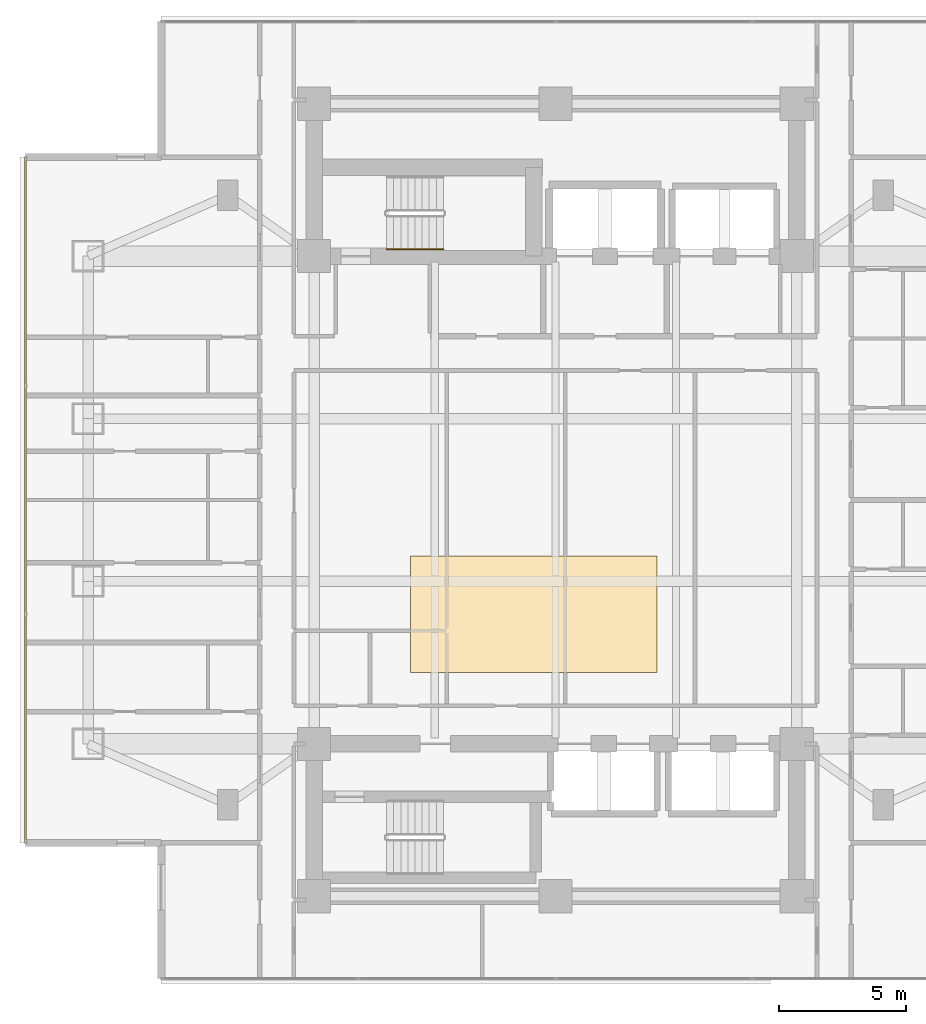
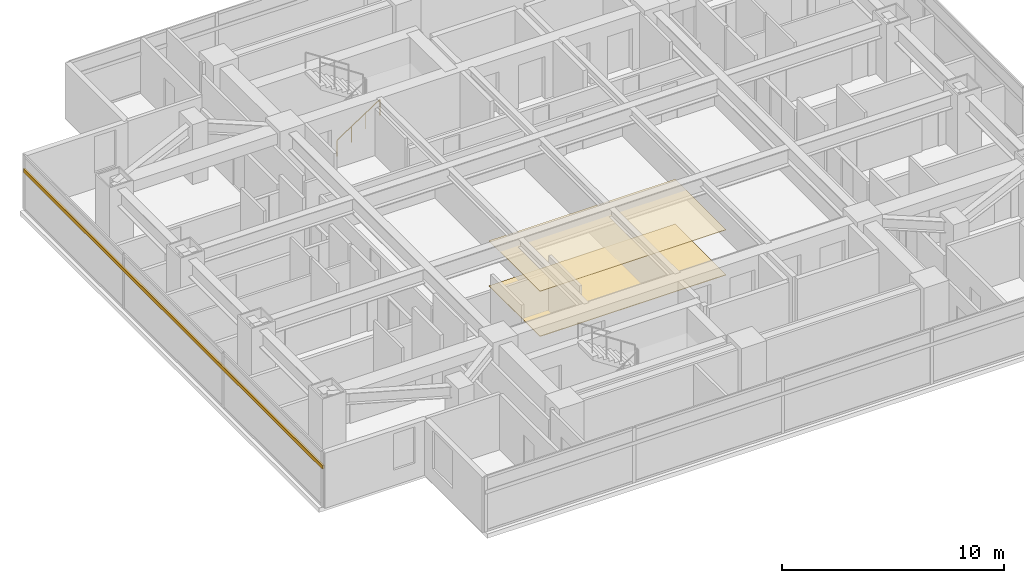
# One storey, part 22 of 27: 2 coverings, 1 railing, 1 shading device.
"""IFC4 building model written with IfcOpenShell, lengths in metres."""

import ifcopenshell
import ifcopenshell.guid

model = None  # the IFC model being written
_history = None  # IfcOwnerHistory: only IFC2X3 demands one
_inside = {}  # id of a spatial element -> (the spatial element, [elements in it])
_under = {}  # id of a project, library or spatial element -> (it, [spatial elements below it])
_declared = {}  # id of a project -> (the project, [libraries it declares])
_typed = {}  # id of a type object -> (the type object, [elements of that type])
_made_of = {}  # id of a material, layer set ... -> (it, [elements and type objects made of it])


def new_model(schema):
    """Start an empty IFC model of exactly this schema.

    Asked for "IFC4X3", IfcOpenShell would pick the latest addendum, in which some entities
    have other attributes; the version numbers below select the first issue.
    IFC2X3 requires an IfcOwnerHistory on every rooted entity: one is made here for all.
    """
    global model, _history
    if schema == "IFC4X3":
        model = ifcopenshell.file(schema_version=(4, 3, 0, 0))
    else:
        model = ifcopenshell.file(schema=schema)
    _inside.clear()
    _under.clear()
    _declared.clear()
    _typed.clear()
    _made_of.clear()
    _history = None
    if model.schema == "IFC2X3":
        org = make("IfcOrganization", Name="unknown")
        user = make(
            "IfcPersonAndOrganization",
            ThePerson=make("IfcPerson", FamilyName="unknown"),
            TheOrganization=org,
        )
        app = make(
            "IfcApplication",
            ApplicationDeveloper=org,
            Version="unknown",
            ApplicationFullName="unknown",
            ApplicationIdentifier="unknown",
        )
        _history = make(
            "IfcOwnerHistory",
            OwningUser=user,
            OwningApplication=app,
            ChangeAction="ADDED",
            CreationDate=0,
        )
    return model


def make(cls, **values):
    """One entity of the class cls with the attributes given. An attribute that is None is left unset."""
    return model.create_entity(
        cls, **{name: value for name, value in values.items() if value is not None}
    )


def rooted(cls, **values):
    """An entity with a GlobalId (a new one), such as an element, a storey or a relation."""
    return make(cls, GlobalId=ifcopenshell.guid.new(), OwnerHistory=_history, **values)


def si_unit(unit_type, name, prefix=None):
    """IfcSIUnit, for example si_unit("LENGTHUNIT", "METRE", prefix="MILLI")."""
    return make("IfcSIUnit", UnitType=unit_type, Prefix=prefix, Name=name)


def assignment(units):
    """IfcUnitAssignment: the units of a project."""
    return None if units is None else make("IfcUnitAssignment", Units=units)


def point(xyz):
    """IfcCartesianPoint."""
    return None if xyz is None else make("IfcCartesianPoint", Coordinates=xyz)


def direction(xyz):
    """IfcDirection."""
    return None if xyz is None else make("IfcDirection", DirectionRatios=xyz)


def frame(location, z_axis=None, x_axis=None):
    """IfcAxis2Placement3D, a coordinate frame: its origin and axes. An axis left out is left unset."""
    return make(
        "IfcAxis2Placement3D",
        Location=point(location),
        Axis=direction(z_axis),
        RefDirection=direction(x_axis),
    )


def frame_2d(location, x_axis=None):
    """IfcAxis2Placement2D, a coordinate frame in the plane: its origin and x axis."""
    return make(
        "IfcAxis2Placement2D", Location=point(location), RefDirection=direction(x_axis)
    )


def origin():
    """The frame at (0, 0, 0) with its axes left unset."""
    return frame((0.0, 0.0, 0.0))


def origin_2d():
    """The frame at (0, 0) in the plane with its x axis left unset."""
    return frame_2d((0.0, 0.0))


def place(relative_to, where):
    """IfcLocalPlacement: puts the frame where relative to a parent placement (None: the world)."""
    return make(
        "IfcLocalPlacement", PlacementRelTo=relative_to, RelativePlacement=where
    )


def context(
    kind, dimensions, precision=None, world=None, true_north=None, identifier=None
):
    """IfcGeometricRepresentationContext, for example the 3D "Model" context."""
    return make(
        "IfcGeometricRepresentationContext",
        ContextIdentifier=identifier,
        ContextType=kind,
        CoordinateSpaceDimension=dimensions,
        Precision=precision,
        WorldCoordinateSystem=world,
        TrueNorth=true_north,
    )


def subcontext(parent, identifier, kind, view, scale=None):
    """IfcGeometricRepresentationSubContext, for example "Body" below "Model"."""
    return make(
        "IfcGeometricRepresentationSubContext",
        ContextIdentifier=identifier,
        ContextType=kind,
        ParentContext=parent,
        TargetScale=scale,
        TargetView=view,
    )


def project(units=None, contexts=None):
    """IfcProject with its units and contexts."""
    return rooted(
        "IfcProject",
        Name="project",
        RepresentationContexts=contexts,
        UnitsInContext=assignment(units),
    )


def spatial(cls, under=None, at=None, **own):
    """A site, building, storey or space (cls), placed at a placement, below another one or the project."""
    s = rooted(cls, ObjectPlacement=at, **own)
    if under is not None:
        _under.setdefault(under.id(), (under, []))[1].append(s)
    return s


def polyline(points):
    """IfcPolyline through the points."""
    return make("IfcPolyline", Points=[point(p) for p in points])


def profile(cls, at=None, kind="AREA", **sizes):
    """A parametric profile (cls). Its sizes go by their IFC names, for example OverallWidth=200.0."""
    return make(cls, ProfileType=kind, Position=at, **sizes)


def rectangle(**sizes):
    """IfcRectangleProfileDef."""
    return profile("IfcRectangleProfileDef", **sizes)


def circle(**sizes):
    """IfcCircleProfileDef."""
    return profile("IfcCircleProfileDef", **sizes)


def outline(outer, holes=None, kind="AREA"):
    """IfcArbitraryClosedProfileDef: a profile drawn as a closed curve; with holes, ...WithVoids."""
    if holes is None:
        return make("IfcArbitraryClosedProfileDef", ProfileType=kind, OuterCurve=outer)
    return make(
        "IfcArbitraryProfileDefWithVoids",
        ProfileType=kind,
        OuterCurve=outer,
        InnerCurves=holes,
    )


def extrude(swept, where, along, depth):
    """IfcExtrudedAreaSolid: the profile swept, set in the frame where, extruded along a direction by depth."""
    return make(
        "IfcExtrudedAreaSolid",
        SweptArea=swept,
        Position=where,
        ExtrudedDirection=direction(along),
        Depth=depth,
    )


def shape(context_of_items, identifier, shape_type, items):
    """IfcShapeRepresentation: the items that make up one representation, for example the "Body"."""
    return make(
        "IfcShapeRepresentation",
        ContextOfItems=context_of_items,
        RepresentationIdentifier=identifier,
        RepresentationType=shape_type,
        Items=items,
    )


def material(Name=None, Category=None):
    """IfcMaterial."""
    return make("IfcMaterial", Name=Name, Category=Category)


def layer(
    of_material, thickness, ventilated=None, Name=None, Category=None, Priority=None
):
    """IfcMaterialLayer: one layer of a wall or slab, of a material (None: an air gap)."""
    return make(
        "IfcMaterialLayer",
        Material=of_material,
        LayerThickness=thickness,
        IsVentilated=ventilated,
        Name=Name,
        Category=Category,
        Priority=Priority,
    )


def layer_set(layers, Name=None):
    """IfcMaterialLayerSet."""
    return make("IfcMaterialLayerSet", MaterialLayers=layers, LayerSetName=Name)


def material_profile(
    of_material, cross_section, Name=None, Category=None, Priority=None
):
    """IfcMaterialProfile: a cross section and its material."""
    return make(
        "IfcMaterialProfile",
        Name=Name,
        Material=of_material,
        Profile=cross_section,
        Priority=Priority,
        Category=Category,
    )


def profile_set(profiles, Name=None, composite=None):
    """IfcMaterialProfileSet."""
    return make(
        "IfcMaterialProfileSet",
        Name=Name,
        MaterialProfiles=profiles,
        CompositeProfile=composite,
    )


def made_of(thing, what):
    """Note that an element or type object is made of a material, layer set ...; save() writes the relation."""
    if what is not None:
        _made_of.setdefault(what.id(), (what, []))[1].append(thing)
    return thing


def type_object(cls, material=None, **own):
    """A type object (cls), such as IfcWallType, which elements share."""
    return made_of(rooted(cls, **own), material)


def element(
    cls,
    number,
    at=None,
    inside=None,
    cuts=None,
    type_object=None,
    material=None,
    context=None,
    identifier="Body",
    shape_type=None,
    held_by="IfcProductDefinitionShape",
    body=None,
    shapes=None,
    **own,
):
    """One element of the class cls, such as IfcWall. Its Tag is "e" and its number.

    at: its placement. inside: the storey or other place that contains it. cuts: it is an
    opening in that element (IfcRelVoidsElement). A single representation is given by context,
    identifier, shape_type and body (its items); several are given by shapes. held_by: the class
    of the entity that holds the representations. save() writes the other relations.
    """
    e = rooted(cls, Tag="e%d" % number, ObjectPlacement=at, **own)
    if body is not None:
        shapes = [shape(context, identifier, shape_type, body)]
    if shapes is not None:
        e.Representation = make(held_by, Representations=shapes)
    if inside is not None:
        _inside.setdefault(inside.id(), (inside, []))[1].append(e)
    if cuts is not None:
        rooted(
            "IfcRelVoidsElement", RelatingBuildingElement=cuts, RelatedOpeningElement=e
        )
    if type_object is not None:
        _typed.setdefault(type_object.id(), (type_object, []))[1].append(e)
    return made_of(e, material)


def aggregate(whole, parts):
    """IfcRelAggregates: a whole, such as a stair, and the parts it consists of."""
    return rooted("IfcRelAggregates", RelatingObject=whole, RelatedObjects=parts)


def save(model, path):
    """Write the relations noted so far, then the file.

    IfcRelAggregates (storeys below a building ...), IfcRelContainedInSpatialStructure (elements
    in a storey), IfcRelDefinesByType, IfcRelAssociatesMaterial and IfcRelDeclares: one each for
    every whole, place, type object, material and project.
    """
    for whole, parts in _under.values():
        aggregate(whole, parts)
    for where, things in _inside.values():
        rooted(
            "IfcRelContainedInSpatialStructure",
            RelatedElements=things,
            RelatingStructure=where,
        )
    for kind, things in _typed.values():
        rooted("IfcRelDefinesByType", RelatedObjects=things, RelatingType=kind)
    for what, things in _made_of.values():
        rooted("IfcRelAssociatesMaterial", RelatedObjects=things, RelatingMaterial=what)
    for by, libraries in _declared.values():
        rooted("IfcRelDeclares", RelatingContext=by, RelatedDefinitions=libraries)
    model.write(path)


model = new_model("IFC4")

# Units and contexts
model_context = context("Model", 3, precision=1e-05, world=origin(), true_north=direction((0.0, 1.0)))
body_context = subcontext(model_context, "Body", "Model", "MODEL_VIEW")
ifc_project = project(units=[si_unit("LENGTHUNIT", "METRE"), si_unit("AREAUNIT", "SQUARE_METRE"), si_unit("VOLUMEUNIT", "CUBIC_METRE"), si_unit("PLANEANGLEUNIT", "RADIAN"), si_unit("MASSUNIT", "GRAM", prefix="KILO")], contexts=[model_context])

# Site, building, storey
site_placement = place(None, origin())
site = spatial("IfcSite", under=ifc_project, at=site_placement, CompositionType="ELEMENT")
building_placement = place(site_placement, origin())
building = spatial("IfcBuilding", under=site, at=building_placement, Name="Mirazonda Arch Towers", CompositionType="ELEMENT")
storey_placement = place(building_placement, frame((0.0, 0.0, 55.39990234375)))
storey = spatial("IfcBuildingStorey", under=building, at=storey_placement, Name="L15", CompositionType="ELEMENT", Elevation=55.39990234375)

# Shading device
ifc_material_1 = material(Name="Kiln-Fired Architectural Terracotta", Category="masonry")
ifc_material_profile = material_profile(ifc_material_1, rectangle(XDim=0.10009765625, YDim=0.199951171875, at=origin_2d()), Name="TERRA-BAG-100x200")
ifc_profile_set = profile_set([ifc_material_profile], Name="Kiln-Fired Architectural Terracotta")
shading_device_type = type_object("IfcShadingDeviceType", Name="BAGUETTE-2", PredefinedType="USERDEFINED", material=ifc_profile_set)
shading_device_placement = place(storey_placement, frame((-0.360107421875, 41.498046875, 2.18896484375), z_axis=(0.0, -1.0, 0.0), x_axis=(1.0, 0.0, 0.0)))
element("IfcShadingDevice", 1, at=shading_device_placement, inside=storey, type_object=shading_device_type, Name="L15 Glazed Terracotta Sun-Screen Baguette CW-L15-T1-W", ObjectType="BAGUETTE", PredefinedType="USERDEFINED", context=body_context, shape_type="SweptSolid", body=[
    extrude(rectangle(XDim=0.10009765625, YDim=0.199951171875, at=origin_2d()), origin(), (0.0, 0.0, 1.0), 26.99609375),
])

# Coverings
ifc_material_2 = material(Name="Acoustic Mineral Fibre Ceiling")
ifc_layer_1 = layer(ifc_material_2, 0.02490234375, Name="COV-CEIL-ACOUSTIC")
ifc_layer_set_1 = layer_set([ifc_layer_1], Name="Acoustic Mineral Fibre Ceiling")
covering_type_1 = type_object("IfcCoveringType", Name="COV-CEIL-ACOUSTIC", PredefinedType="CEILING", material=ifc_layer_set_1)
covering_1_placement = place(storey_placement, frame((0.0, 0.0, 2.485107421875)))
element("IfcCovering", 2, at=covering_1_placement, inside=storey, type_object=covering_type_1, Name="L15 Suspended Acoustic Ceiling", PredefinedType="CEILING", context=body_context, shape_type="SweptSolid", body=[
    extrude(outline(polyline([(14.800048828125, 21.199951171875), (24.5, 21.199951171875), (24.5, 25.800048828125), (14.800048828125, 25.800048828125), (14.800048828125, 21.199951171875)])), origin(), (0.0, 0.0, 1.0), 0.02490234375),
])
ifc_material_3 = material(Name="Polished Terrazzo Stone Finish", Category="masonry")
ifc_layer_2 = layer(ifc_material_3, 0.030029296875, Name="COV-FLOOR-STONE")
ifc_layer_set_2 = layer_set([ifc_layer_2], Name="Polished Terrazzo Stone Finish")
covering_type_2 = type_object("IfcCoveringType", Name="COV-FLOOR-STONE", PredefinedType="FLOORING", material=ifc_layer_set_2)
covering_2_placement = place(storey_placement, origin())
element("IfcCovering", 3, at=covering_2_placement, inside=storey, type_object=covering_type_2, Name="L15 Polished Terrazzo Lobby Flooring", PredefinedType="FLOORING", context=body_context, shape_type="SweptSolid", body=[
    extrude(outline(polyline([(14.800048828125, 21.199951171875), (24.5, 21.199951171875), (24.5, 25.800048828125), (14.800048828125, 25.800048828125), (14.800048828125, 21.199951171875)])), origin(), (0.0, 0.0, 1.0), 0.030029296875),
])

# Railing
ifc_material_4 = material(Name="Architectural Brushed Steel S355", Category="steel")
railing_type = type_object("IfcRailingType", Name="HANDRAIL-915", PredefinedType="HANDRAIL", material=ifc_material_4)
railing_placement = place(storey_placement, frame((13.85009765625, 37.8701171875, 0.183349609375)))
element("IfcRailing", 4, at=railing_placement, inside=storey, type_object=railing_type, Name="L15 ST-T1N stair handrail 1", PredefinedType="HANDRAIL", context=body_context, shape_type="SweptSolid", body=[
    extrude(circle(Radius=0.02392578125, at=origin_2d()), frame((0.0, 0.0, 0.8759765625), z_axis=(0.836595146698, 0.0, 0.547821650285), x_axis=(0.0, 1.0, 0.0)), (0.0, 0.0, 1.0), 2.677490234375),
    extrude(circle(Radius=0.02099609375, at=origin_2d()), origin(), (0.0, 0.0, 1.0), 0.851806640625),
    extrude(circle(Radius=0.02099609375, at=origin_2d()), frame((0.74658203125, 0.0, 0.489013671875)), (0.0, 0.0, 1.0), 0.851806640625),
    extrude(circle(Radius=0.02099609375, at=origin_2d()), frame((1.493408203125, 0.0, 0.977783203125)), (0.0, 0.0, 1.0), 0.851806640625),
    extrude(circle(Radius=0.02099609375, at=origin_2d()), frame((2.239990234375, 0.0, 1.466796875)), (0.0, 0.0, 1.0), 0.851806640625),
])

save(model, "model.ifc")
